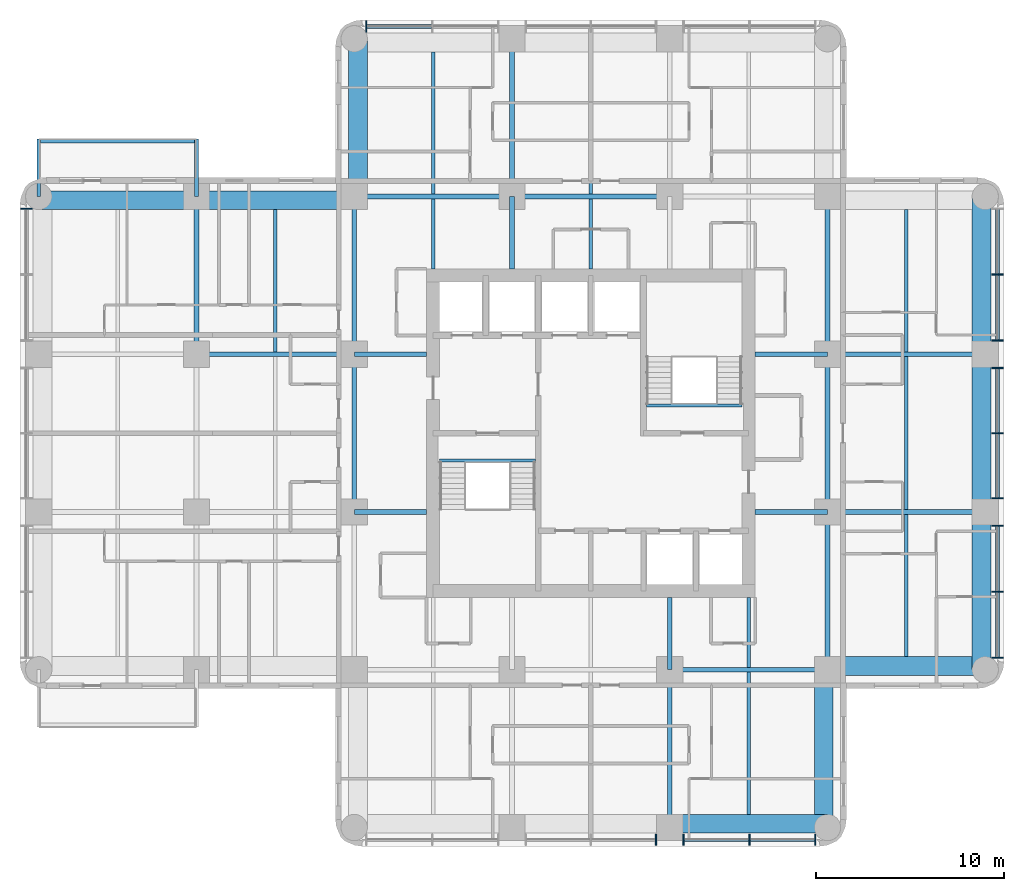
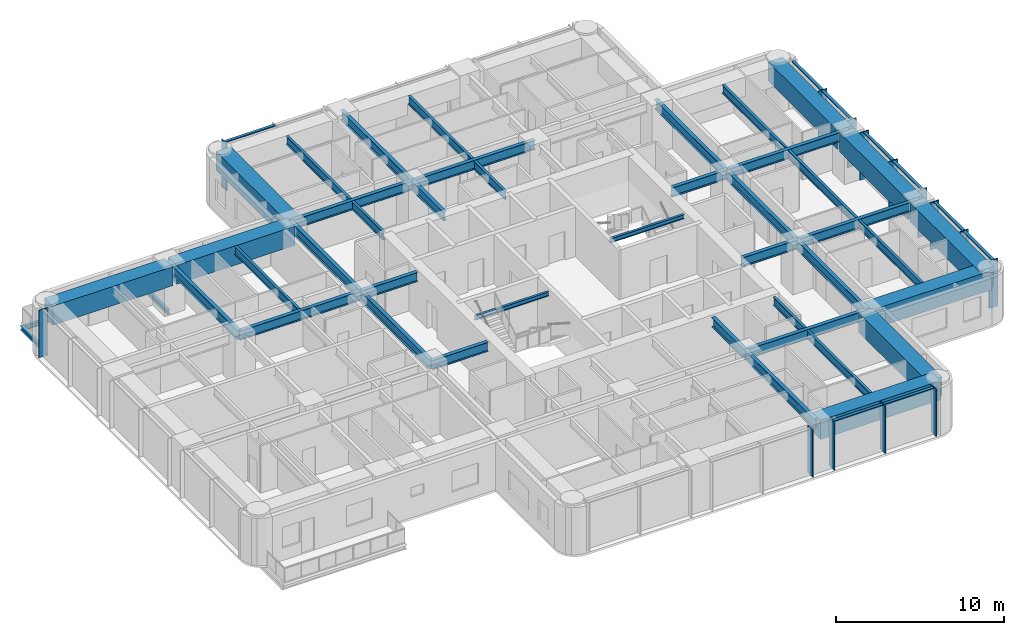
# One storey, part 2 of 11: 44 beams, 23 members, 4 elements without a shape of their own.
"""IFC4 building model written with IfcOpenShell, lengths in metres."""

from ifc_helpers import new_model, si_unit, direction, frame, origin, origin_2d, place, context, subcontext, project, spatial, rectangle, i_section, extrude, material, material_profile, profile_set, type_object, element, aggregate, save


model = new_model("IFC4")

# Units and contexts
model_context = context("Model", 3, precision=1e-05, world=origin(), true_north=direction((0.0, 1.0)))
body_context = subcontext(model_context, "Body", "Model", "MODEL_VIEW")
ifc_project = project(units=[si_unit("LENGTHUNIT", "METRE"), si_unit("AREAUNIT", "SQUARE_METRE"), si_unit("VOLUMEUNIT", "CUBIC_METRE"), si_unit("PLANEANGLEUNIT", "RADIAN"), si_unit("MASSUNIT", "GRAM", prefix="KILO")], contexts=[model_context])

# Site, building, storey
site_placement = place(None, origin())
site = spatial("IfcSite", under=ifc_project, at=site_placement, CompositionType="ELEMENT")
building_placement = place(site_placement, origin())
building = spatial("IfcBuilding", under=site, at=building_placement, Name="Torre Alcanfor", CompositionType="ELEMENT")
storey_placement = place(building_placement, frame((0.0, 0.0, 212.10009765625)))
storey = spatial("IfcBuildingStorey", under=building, at=storey_placement, Name="L55", CompositionType="ELEMENT", Elevation=212.10009765625)

# Beams
ifc_material_1 = material(Name="Steel ASTM A992 Grade 50", Category="steel")
ifc_material_profile_1 = material_profile(ifc_material_1, i_section(OverallWidth=0.205322265625, OverallDepth=0.309814453125, WebThickness=0.00927734375, FlangeThickness=0.016357421875, at=origin_2d()), Name="W12x50")
ifc_profile_set_1 = profile_set([ifc_material_profile_1], Name="Steel ASTM A992 Grade 50")
beam_type_1 = type_object("IfcBeamType", Name="Balcony cantilever beam W12x50", PredefinedType="BEAM", material=ifc_profile_set_1)
for number, where, z_axis, x_axis, name in (
    (1, (8.39990234375, 42.0, -0.35498046875), (0.0, 1.0, 0.0), (-1.0, 0.0, 0.0), "Balcony cantilever beam L55-W2 1"),
    (2, (0.0, 42.0, -0.35498046875), (0.0, 1.0, 0.0), (-1.0, 0.0, 0.0), "Balcony cantilever beam L55-W2 2"),
):
    element("IfcBeam", number, at=place(storey_placement, frame(where, z_axis=z_axis, x_axis=x_axis)), inside=storey, type_object=beam_type_1, Name=name, PredefinedType="BEAM", context=body_context, shape_type="SweptSolid", body=[
        extrude(i_section(OverallWidth=0.205322265625, OverallDepth=0.309814453125, WebThickness=0.00927734375, FlangeThickness=0.016357421875, at=origin_2d()), origin(), (0.0, 0.0, 1.0), 3.050048828125),
    ])
ifc_material_2 = material(Name="Steel ASTM A992 Grade 50", Category="steel")
ifc_material_profile_2 = material_profile(ifc_material_2, i_section(OverallWidth=0.203369140625, OverallDepth=0.30224609375, WebThickness=0.007568359375, FlangeThickness=0.01318359375, at=origin_2d()), Name="W12x40")
ifc_profile_set_2 = profile_set([ifc_material_profile_2], Name="Steel ASTM A992 Grade 50")
beam_type_2 = type_object("IfcBeamType", Name="Balcony edge trimmer W12x40", PredefinedType="BEAM", material=ifc_profile_set_2)
beam_1_placement = place(storey_placement, frame((8.39990234375, 44.9482421875, -0.351318359375), z_axis=(-1.0, 0.0, 0.0), x_axis=(0.0, -1.0, 0.0)))
element("IfcBeam", 3, at=beam_1_placement, inside=storey, type_object=beam_type_2, Name="Balcony edge trimmer L55-W2", PredefinedType="BEAM", context=body_context, shape_type="SweptSolid", body=[
    extrude(i_section(OverallWidth=0.203369140625, OverallDepth=0.30224609375, WebThickness=0.007568359375, FlangeThickness=0.01318359375, at=origin_2d()), origin(), (0.0, 0.0, 1.0), 8.39990234375),
])

# Curtain wall, member
ifc_material_3 = material(Name="Aluminium and glass", Category="aluminium")
curtain_wall_type = type_object("IfcCurtainWallType", Name="CW-A unitised apartment glazing with vertical FIN", PredefinedType="NOTDEFINED", material=ifc_material_3)
curtain_wall_1_placement = place(storey_placement, origin())
curtain_wall_1 = element("IfcCurtainWall", 4, at=curtain_wall_1_placement, inside=storey, type_object=curtain_wall_type, Name="Curtain wall CW-A L55 2", PredefinedType="NOTDEFINED")
ifc_material_4 = material(Name="Bronze anodised aluminium", Category="aluminium")
ifc_material_profile_3 = material_profile(ifc_material_4, rectangle(XDim=0.60009765625, YDim=0.06494140625, at=origin_2d()), Name="CW-A mullion 65x600")
ifc_profile_set_3 = profile_set([ifc_material_profile_3], Name="Bronze anodised aluminium")
member_type_1 = type_object("IfcMemberType", Name="CW-A mullion with vertical FIN 65x600", PredefinedType="MULLION", material=ifc_profile_set_3)
member_1_placement = place(storey_placement, frame((-0.64990234375, 41.35546875, 0.0), z_axis=(0.0, 0.0, 1.0), x_axis=(1.0, 0.0, 0.0)))
member_1 = element("IfcMember", 5, at=member_1_placement, type_object=member_type_1, Name="CW-A mullion 1.1", PredefinedType="MULLION", context=body_context, shape_type="SweptSolid", body=[
    extrude(rectangle(XDim=0.60009765625, YDim=0.06494140625, at=origin_2d()), origin(), (0.0, 0.0, 1.0), 3.449951171875),
])
aggregate(curtain_wall_1, [member_1])

# Curtain wall, members
curtain_wall_2_placement = place(storey_placement, origin())
curtain_wall_2 = element("IfcCurtainWall", 6, at=curtain_wall_2_placement, inside=storey, type_object=curtain_wall_type, Name="Curtain wall CW-A L55 5", PredefinedType="NOTDEFINED")
member_2_placement = place(storey_placement, frame((32.862548828125, 7.75, 0.0), z_axis=(0.0, 0.0, 1.0), x_axis=(0.0, 1.0, 0.0)))
member_2 = element("IfcMember", 7, at=member_2_placement, type_object=member_type_1, Name="CW-A mullion 2.3", PredefinedType="MULLION", context=body_context, shape_type="SweptSolid", body=[
    extrude(rectangle(XDim=0.60009765625, YDim=0.06494140625, at=origin_2d()), origin(), (0.0, 0.0, 1.0), 3.449951171875),
])
member_3_placement = place(storey_placement, frame((34.33740234375, 7.75, 0.0), z_axis=(0.0, 0.0, 1.0), x_axis=(0.0, 1.0, 0.0)))
member_3 = element("IfcMember", 8, at=member_3_placement, type_object=member_type_1, Name="CW-A mullion 3.1", PredefinedType="MULLION", context=body_context, shape_type="SweptSolid", body=[
    extrude(rectangle(XDim=0.60009765625, YDim=0.06494140625, at=origin_2d()), origin(), (0.0, 0.0, 1.0), 3.449951171875),
])
member_4_placement = place(storey_placement, frame((37.846435546875, 7.75, 0.0), z_axis=(0.0, 0.0, 1.0), x_axis=(0.0, 1.0, 0.0)))
member_4 = element("IfcMember", 9, at=member_4_placement, type_object=member_type_1, Name="CW-A mullion 3.2", PredefinedType="MULLION", context=body_context, shape_type="SweptSolid", body=[
    extrude(rectangle(XDim=0.60009765625, YDim=0.06494140625, at=origin_2d()), origin(), (0.0, 0.0, 1.0), 3.449951171875),
])
member_5_placement = place(storey_placement, frame((41.35546875, 7.75, 0.0), z_axis=(0.0, 0.0, 1.0), x_axis=(0.0, 1.0, 0.0)))
member_5 = element("IfcMember", 10, at=member_5_placement, type_object=member_type_1, Name="CW-A mullion 3.3", PredefinedType="MULLION", context=body_context, shape_type="SweptSolid", body=[
    extrude(rectangle(XDim=0.60009765625, YDim=0.06494140625, at=origin_2d()), origin(), (0.0, 0.0, 1.0), 3.449951171875),
])

curtain_wall_3_placement = place(storey_placement, origin())
curtain_wall_3 = element("IfcCurtainWall", 11, at=curtain_wall_3_placement, inside=storey, type_object=curtain_wall_type, Name="Curtain wall CW-A L55 8", PredefinedType="NOTDEFINED")
member_6_placement = place(storey_placement, frame((51.050048828125, 17.444580078125, 0.0), z_axis=(0.0, 0.0, 1.0), x_axis=(-1.0, 0.0, 0.0)))
member_6 = element("IfcMember", 12, at=member_6_placement, type_object=member_type_1, Name="CW-A mullion 1.1", PredefinedType="MULLION", context=body_context, shape_type="SweptSolid", body=[
    extrude(rectangle(XDim=0.60009765625, YDim=0.06494140625, at=origin_2d()), origin(), (0.0, 0.0, 1.0), 3.449951171875),
])
member_7_placement = place(storey_placement, frame((51.050048828125, 20.95361328125, 0.0), z_axis=(0.0, 0.0, 1.0), x_axis=(-1.0, 0.0, 0.0)))
member_7 = element("IfcMember", 13, at=member_7_placement, type_object=member_type_1, Name="CW-A mullion 1.2", PredefinedType="MULLION", context=body_context, shape_type="SweptSolid", body=[
    extrude(rectangle(XDim=0.60009765625, YDim=0.06494140625, at=origin_2d()), origin(), (0.0, 0.0, 1.0), 3.449951171875),
])
member_8_placement = place(storey_placement, frame((51.050048828125, 24.46240234375, 0.0), z_axis=(0.0, 0.0, 1.0), x_axis=(-1.0, 0.0, 0.0)))
member_8 = element("IfcMember", 14, at=member_8_placement, type_object=member_type_1, Name="CW-A mullion 1.3", PredefinedType="MULLION", context=body_context, shape_type="SweptSolid", body=[
    extrude(rectangle(XDim=0.60009765625, YDim=0.06494140625, at=origin_2d()), origin(), (0.0, 0.0, 1.0), 3.449951171875),
])
member_9_placement = place(storey_placement, frame((51.050048828125, 25.9375, 0.0), z_axis=(0.0, 0.0, 1.0), x_axis=(-1.0, 0.0, 0.0)))
member_9 = element("IfcMember", 15, at=member_9_placement, type_object=member_type_1, Name="CW-A mullion 2.1", PredefinedType="MULLION", context=body_context, shape_type="SweptSolid", body=[
    extrude(rectangle(XDim=0.60009765625, YDim=0.06494140625, at=origin_2d()), origin(), (0.0, 0.0, 1.0), 3.449951171875),
])
member_10_placement = place(storey_placement, frame((51.050048828125, 29.39990234375, 0.0), z_axis=(0.0, 0.0, 1.0), x_axis=(-1.0, 0.0, 0.0)))
member_10 = element("IfcMember", 16, at=member_10_placement, type_object=member_type_1, Name="CW-A mullion 2.2", PredefinedType="MULLION", context=body_context, shape_type="SweptSolid", body=[
    extrude(rectangle(XDim=0.60009765625, YDim=0.06494140625, at=origin_2d()), origin(), (0.0, 0.0, 1.0), 3.449951171875),
])
member_11_placement = place(storey_placement, frame((51.050048828125, 32.862548828125, 0.0), z_axis=(0.0, 0.0, 1.0), x_axis=(-1.0, 0.0, 0.0)))
member_11 = element("IfcMember", 17, at=member_11_placement, type_object=member_type_1, Name="CW-A mullion 2.3", PredefinedType="MULLION", context=body_context, shape_type="SweptSolid", body=[
    extrude(rectangle(XDim=0.60009765625, YDim=0.06494140625, at=origin_2d()), origin(), (0.0, 0.0, 1.0), 3.449951171875),
])
member_12_placement = place(storey_placement, frame((51.050048828125, 34.33740234375, 0.0), z_axis=(0.0, 0.0, 1.0), x_axis=(-1.0, 0.0, 0.0)))
member_12 = element("IfcMember", 18, at=member_12_placement, type_object=member_type_1, Name="CW-A mullion 3.1", PredefinedType="MULLION", context=body_context, shape_type="SweptSolid", body=[
    extrude(rectangle(XDim=0.60009765625, YDim=0.06494140625, at=origin_2d()), origin(), (0.0, 0.0, 1.0), 3.449951171875),
])
member_13_placement = place(storey_placement, frame((51.050048828125, 37.846435546875, 0.0), z_axis=(0.0, 0.0, 1.0), x_axis=(-1.0, 0.0, 0.0)))
member_13 = element("IfcMember", 19, at=member_13_placement, type_object=member_type_1, Name="CW-A mullion 3.2", PredefinedType="MULLION", context=body_context, shape_type="SweptSolid", body=[
    extrude(rectangle(XDim=0.60009765625, YDim=0.06494140625, at=origin_2d()), origin(), (0.0, 0.0, 1.0), 3.449951171875),
])

# Curtain wall, member
curtain_wall_4_placement = place(storey_placement, origin())
curtain_wall_4 = element("IfcCurtainWall", 20, at=curtain_wall_4_placement, inside=storey, type_object=curtain_wall_type, Name="Curtain wall CW-A L55 11", PredefinedType="NOTDEFINED")
member_14_placement = place(storey_placement, frame((17.444580078125, 51.050048828125, 0.0), z_axis=(0.0, 0.0, 1.0), x_axis=(0.0, -1.0, 0.0)))
member_14 = element("IfcMember", 21, at=member_14_placement, type_object=member_type_1, Name="CW-A mullion 3.3", PredefinedType="MULLION", context=body_context, shape_type="SweptSolid", body=[
    extrude(rectangle(XDim=0.60009765625, YDim=0.06494140625, at=origin_2d()), origin(), (0.0, 0.0, 1.0), 3.449951171875),
])

# Member
ifc_material_5 = material(Name="Extruded aluminium", Category="aluminium")
ifc_material_profile_4 = material_profile(ifc_material_5, rectangle(XDim=0.199951171875, YDim=0.06494140625, at=origin_2d()), Name="CW-A transom 200x65")
ifc_profile_set_4 = profile_set([ifc_material_profile_4], Name="Extruded aluminium")
member_type_2 = type_object("IfcMemberType", Name="CW-A transom 65x200", PredefinedType="USERDEFINED", material=ifc_profile_set_4)
member_15_placement = place(storey_placement, frame((34.3701171875, 7.75, 3.41748046875), z_axis=(1.0, 0.0, 0.0), x_axis=(0.0, 1.0, 0.0)))
member_15 = element("IfcMember", 22, at=member_15_placement, type_object=member_type_2, Name="CW-A transom 3.1.2", ObjectType="TRANSOM", PredefinedType="USERDEFINED", context=body_context, shape_type="SweptSolid", body=[
    extrude(rectangle(XDim=0.199951171875, YDim=0.06494140625, at=origin_2d()), origin(), (0.0, 0.0, 1.0), 3.44384765625),
])

member_16_placement = place(storey_placement, frame((37.87890625, 7.75, 3.41748046875), z_axis=(1.0, 0.0, 0.0), x_axis=(0.0, 1.0, 0.0)))
member_16 = element("IfcMember", 23, at=member_16_placement, type_object=member_type_2, Name="CW-A transom 3.2.2", ObjectType="TRANSOM", PredefinedType="USERDEFINED", context=body_context, shape_type="SweptSolid", body=[
    extrude(rectangle(XDim=0.199951171875, YDim=0.06494140625, at=origin_2d()), origin(), (0.0, 0.0, 1.0), 3.444091796875),
])

aggregate(curtain_wall_2, [member_2, member_3, member_4, member_5, member_15, member_16])

member_17_placement = place(storey_placement, frame((51.050048828125, 17.47705078125, 3.41748046875), z_axis=(0.0, 1.0, 0.0), x_axis=(-1.0, 0.0, 0.0)))
member_17 = element("IfcMember", 24, at=member_17_placement, type_object=member_type_2, Name="CW-A transom 1.1.2", ObjectType="TRANSOM", PredefinedType="USERDEFINED", context=body_context, shape_type="SweptSolid", body=[
    extrude(rectangle(XDim=0.199951171875, YDim=0.06494140625, at=origin_2d()), origin(), (0.0, 0.0, 1.0), 3.44384765625),
])

member_18_placement = place(storey_placement, frame((51.050048828125, 20.986083984375, 3.41748046875), z_axis=(0.0, 1.0, 0.0), x_axis=(-1.0, 0.0, 0.0)))
member_18 = element("IfcMember", 25, at=member_18_placement, type_object=member_type_2, Name="CW-A transom 1.2.2", ObjectType="TRANSOM", PredefinedType="USERDEFINED", context=body_context, shape_type="SweptSolid", body=[
    extrude(rectangle(XDim=0.199951171875, YDim=0.06494140625, at=origin_2d()), origin(), (0.0, 0.0, 1.0), 3.44384765625),
])

member_19_placement = place(storey_placement, frame((51.050048828125, 25.969970703125, 3.41748046875), z_axis=(0.0, 1.0, 0.0), x_axis=(-1.0, 0.0, 0.0)))
member_19 = element("IfcMember", 26, at=member_19_placement, type_object=member_type_2, Name="CW-A transom 2.1.2", ObjectType="TRANSOM", PredefinedType="USERDEFINED", context=body_context, shape_type="SweptSolid", body=[
    extrude(rectangle(XDim=0.199951171875, YDim=0.06494140625, at=origin_2d()), origin(), (0.0, 0.0, 1.0), 3.3974609375),
])

member_20_placement = place(storey_placement, frame((51.050048828125, 29.4326171875, 3.41748046875), z_axis=(0.0, 1.0, 0.0), x_axis=(-1.0, 0.0, 0.0)))
member_20 = element("IfcMember", 27, at=member_20_placement, type_object=member_type_2, Name="CW-A transom 2.2.2", ObjectType="TRANSOM", PredefinedType="USERDEFINED", context=body_context, shape_type="SweptSolid", body=[
    extrude(rectangle(XDim=0.199951171875, YDim=0.06494140625, at=origin_2d()), origin(), (0.0, 0.0, 1.0), 3.3974609375),
])

member_21_placement = place(storey_placement, frame((51.050048828125, 34.3701171875, 3.41748046875), z_axis=(0.0, 1.0, 0.0), x_axis=(-1.0, 0.0, 0.0)))
member_21 = element("IfcMember", 28, at=member_21_placement, type_object=member_type_2, Name="CW-A transom 3.1.2", ObjectType="TRANSOM", PredefinedType="USERDEFINED", context=body_context, shape_type="SweptSolid", body=[
    extrude(rectangle(XDim=0.199951171875, YDim=0.06494140625, at=origin_2d()), origin(), (0.0, 0.0, 1.0), 3.44384765625),
])

member_22_placement = place(storey_placement, frame((51.050048828125, 37.87890625, 3.41748046875), z_axis=(0.0, 1.0, 0.0), x_axis=(-1.0, 0.0, 0.0)))
member_22 = element("IfcMember", 29, at=member_22_placement, type_object=member_type_2, Name="CW-A transom 3.2.2", ObjectType="TRANSOM", PredefinedType="USERDEFINED", context=body_context, shape_type="SweptSolid", body=[
    extrude(rectangle(XDim=0.199951171875, YDim=0.06494140625, at=origin_2d()), origin(), (0.0, 0.0, 1.0), 3.444091796875),
])

aggregate(curtain_wall_3, [member_6, member_7, member_8, member_17, member_18, member_9, member_10, member_11, member_19, member_20, member_12, member_13, member_21, member_22])

member_23_placement = place(storey_placement, frame((20.9208984375, 51.050048828125, 3.41748046875), z_axis=(-1.0, 0.0, 0.0), x_axis=(0.0, -1.0, 0.0)))
member_23 = element("IfcMember", 30, at=member_23_placement, type_object=member_type_2, Name="CW-A transom 3.2.2", ObjectType="TRANSOM", PredefinedType="USERDEFINED", context=body_context, shape_type="SweptSolid", body=[
    extrude(rectangle(XDim=0.199951171875, YDim=0.06494140625, at=origin_2d()), origin(), (0.0, 0.0, 1.0), 3.44384765625),
])

aggregate(curtain_wall_4, [member_14, member_23])

# Beams
ifc_material_6 = material(Name="Steel ASTM A992 Grade 50", Category="steel")
ifc_material_profile_5 = material_profile(ifc_material_6, i_section(OverallWidth=0.25390625, OverallDepth=0.683349609375, WebThickness=0.012451171875, FlangeThickness=0.01904296875, at=origin_2d()), Name="W27x94")
ifc_profile_set_5 = profile_set([ifc_material_profile_5], Name="Steel ASTM A992 Grade 50")
beam_type_3 = type_object("IfcBeamType", Name="Girder W27x94", PredefinedType="BEAM", material=ifc_profile_set_5)
for number, where, z_axis, x_axis, name in (
    (31, (33.60009765625, 16.800048828125, 3.108154296875), (1.0, 0.0, 0.0), (0.0, 1.0, 0.0), "Beam 5E-6E under L56"),
    (32, (42.0, 25.199951171875, 3.108154296875), (1.0, 0.0, 0.0), (0.0, 1.0, 0.0), "Beam 6F-7F under L56"),
):
    element("IfcBeam", number, at=place(storey_placement, frame(where, z_axis=z_axis, x_axis=x_axis)), inside=storey, type_object=beam_type_3, Name=name, PredefinedType="BEAM", context=body_context, shape_type="SweptSolid", body=[
        extrude(i_section(OverallWidth=0.25390625, OverallDepth=0.683349609375, WebThickness=0.012451171875, FlangeThickness=0.01904296875, at=origin_2d()), origin(), (0.0, 0.0, 1.0), 8.39990234375),
    ])
beam_2_placement = place(storey_placement, frame((8.39990234375, 33.60009765625, 3.108154296875), z_axis=(1.0, 0.0, 0.0), x_axis=(0.0, 1.0, 0.0)))
element("IfcBeam", 33, at=beam_2_placement, inside=storey, type_object=beam_type_3, Name="Beam 2G-3G under L56", PredefinedType="BEAM", context=body_context, shape_type="SweptSolid", body=[
    extrude(i_section(OverallWidth=0.25390625, OverallDepth=0.683349609375, WebThickness=0.012451171875, FlangeThickness=0.01904296875, at=origin_2d()), origin(), (0.0, 0.0, 1.0), 8.400146484375),
])
for number, where, z_axis, x_axis, name in (
    (34, (42.0, 33.60009765625, 3.108154296875), (1.0, 0.0, 0.0), (0.0, 1.0, 0.0), "Beam 6G-7G under L56"),
    (35, (16.800048828125, 42.0, 3.108154296875), (1.0, 0.0, 0.0), (0.0, 1.0, 0.0), "Beam 3H-4H under L56"),
):
    element("IfcBeam", number, at=place(storey_placement, frame(where, z_axis=z_axis, x_axis=x_axis)), inside=storey, type_object=beam_type_3, Name=name, PredefinedType="BEAM", context=body_context, shape_type="SweptSolid", body=[
        extrude(i_section(OverallWidth=0.25390625, OverallDepth=0.683349609375, WebThickness=0.012451171875, FlangeThickness=0.01904296875, at=origin_2d()), origin(), (0.0, 0.0, 1.0), 8.39990234375),
    ])
beam_3_placement = place(storey_placement, frame((25.199951171875, 42.0, 3.108154296875), z_axis=(1.0, 0.0, 0.0), x_axis=(0.0, 1.0, 0.0)))
element("IfcBeam", 36, at=beam_3_placement, inside=storey, type_object=beam_type_3, Name="Beam 4H-5H under L56", PredefinedType="BEAM", context=body_context, shape_type="SweptSolid", body=[
    extrude(i_section(OverallWidth=0.25390625, OverallDepth=0.683349609375, WebThickness=0.012451171875, FlangeThickness=0.01904296875, at=origin_2d()), origin(), (0.0, 0.0, 1.0), 8.400146484375),
])
beam_4_placement = place(storey_placement, frame((8.39990234375, 33.60009765625, 3.108154296875), z_axis=(0.0, 1.0, 0.0), x_axis=(-1.0, 0.0, 0.0)))
element("IfcBeam", 37, at=beam_4_placement, inside=storey, type_object=beam_type_3, Name="Beam 2G-2H under L56", PredefinedType="BEAM", context=body_context, shape_type="SweptSolid", body=[
    extrude(i_section(OverallWidth=0.25390625, OverallDepth=0.683349609375, WebThickness=0.012451171875, FlangeThickness=0.01904296875, at=origin_2d()), origin(), (0.0, 0.0, 1.0), 8.39990234375),
])
beam_5_placement = place(storey_placement, frame((16.800048828125, 25.199951171875, 3.108154296875), z_axis=(0.0, 1.0, 0.0), x_axis=(-1.0, 0.0, 0.0)))
element("IfcBeam", 38, at=beam_5_placement, inside=storey, type_object=beam_type_3, Name="Beam 3F-3G under L56", PredefinedType="BEAM", context=body_context, shape_type="SweptSolid", body=[
    extrude(i_section(OverallWidth=0.25390625, OverallDepth=0.683349609375, WebThickness=0.012451171875, FlangeThickness=0.01904296875, at=origin_2d()), origin(), (0.0, 0.0, 1.0), 8.400146484375),
])
for number, where, z_axis, x_axis, name in (
    (39, (16.800048828125, 33.60009765625, 3.108154296875), (0.0, 1.0, 0.0), (-1.0, 0.0, 0.0), "Beam 3G-3H under L56"),
    (40, (25.199951171875, 42.0, 3.108154296875), (0.0, 1.0, 0.0), (-1.0, 0.0, 0.0), "Beam 4H-4J under L56"),
):
    element("IfcBeam", number, at=place(storey_placement, frame(where, z_axis=z_axis, x_axis=x_axis)), inside=storey, type_object=beam_type_3, Name=name, PredefinedType="BEAM", context=body_context, shape_type="SweptSolid", body=[
        extrude(i_section(OverallWidth=0.25390625, OverallDepth=0.683349609375, WebThickness=0.012451171875, FlangeThickness=0.01904296875, at=origin_2d()), origin(), (0.0, 0.0, 1.0), 8.39990234375),
    ])
beam_6_placement = place(storey_placement, frame((33.60009765625, 8.39990234375, 3.108154296875), z_axis=(0.0, 1.0, 0.0), x_axis=(-1.0, 0.0, 0.0)))
element("IfcBeam", 41, at=beam_6_placement, inside=storey, type_object=beam_type_3, Name="Beam 5D-5E under L56", PredefinedType="BEAM", context=body_context, shape_type="SweptSolid", body=[
    extrude(i_section(OverallWidth=0.25390625, OverallDepth=0.683349609375, WebThickness=0.012451171875, FlangeThickness=0.01904296875, at=origin_2d()), origin(), (0.0, 0.0, 1.0), 8.400146484375),
])
beam_7_placement = place(storey_placement, frame((42.0, 16.800048828125, 3.108154296875), z_axis=(0.0, 1.0, 0.0), x_axis=(-1.0, 0.0, 0.0)))
element("IfcBeam", 42, at=beam_7_placement, inside=storey, type_object=beam_type_3, Name="Beam 6E-6F under L56", PredefinedType="BEAM", context=body_context, shape_type="SweptSolid", body=[
    extrude(i_section(OverallWidth=0.25390625, OverallDepth=0.683349609375, WebThickness=0.012451171875, FlangeThickness=0.01904296875, at=origin_2d()), origin(), (0.0, 0.0, 1.0), 8.39990234375),
])
beam_8_placement = place(storey_placement, frame((42.0, 25.199951171875, 3.108154296875), z_axis=(0.0, 1.0, 0.0), x_axis=(-1.0, 0.0, 0.0)))
element("IfcBeam", 43, at=beam_8_placement, inside=storey, type_object=beam_type_3, Name="Beam 6F-6G under L56", PredefinedType="BEAM", context=body_context, shape_type="SweptSolid", body=[
    extrude(i_section(OverallWidth=0.25390625, OverallDepth=0.683349609375, WebThickness=0.012451171875, FlangeThickness=0.01904296875, at=origin_2d()), origin(), (0.0, 0.0, 1.0), 8.400146484375),
])
beam_9_placement = place(storey_placement, frame((42.0, 33.60009765625, 3.108154296875), z_axis=(0.0, 1.0, 0.0), x_axis=(-1.0, 0.0, 0.0)))
element("IfcBeam", 44, at=beam_9_placement, inside=storey, type_object=beam_type_3, Name="Beam 6G-6H under L56", PredefinedType="BEAM", context=body_context, shape_type="SweptSolid", body=[
    extrude(i_section(OverallWidth=0.25390625, OverallDepth=0.683349609375, WebThickness=0.012451171875, FlangeThickness=0.01904296875, at=origin_2d()), origin(), (0.0, 0.0, 1.0), 8.39990234375),
])
ifc_material_7 = material(Name="Steel ASTM A992 Grade 50", Category="steel")
ifc_material_profile_6 = material_profile(ifc_material_7, i_section(OverallWidth=0.25390625, OverallDepth=0.683349609375, WebThickness=0.012451171875, FlangeThickness=0.01904296875, at=origin_2d()), Name="W27x94")
ifc_profile_set_6 = profile_set([ifc_material_profile_6], Name="Steel ASTM A992 Grade 50")
beam_type_4 = type_object("IfcBeamType", Name="Girder, part bay W27x94", PredefinedType="BEAM", material=ifc_profile_set_6)
beam_10_placement = place(storey_placement, frame((25.199951171875, 42.0, 3.108154296875), z_axis=(0.0, -1.0, 0.0), x_axis=(1.0, 0.0, 0.0)))
element("IfcBeam", 45, at=beam_10_placement, inside=storey, type_object=beam_type_4, Name="Beam 4H-438_15 under L56", PredefinedType="BEAM", context=body_context, shape_type="SweptSolid", body=[
    extrude(i_section(OverallWidth=0.25390625, OverallDepth=0.683349609375, WebThickness=0.012451171875, FlangeThickness=0.01904296875, at=origin_2d()), origin(), (0.0, 0.0, 1.0), 3.85009765625),
])
for number, where, z_axis, x_axis, name in (
    (46, (33.60009765625, 16.800048828125, 3.108154296875), (0.0, 1.0, 0.0), (-1.0, 0.0, 0.0), "Beam 5E-520_65 under L56"),
    (47, (16.800048828125, 25.199951171875, 3.108154296875), (1.0, 0.0, 0.0), (0.0, 1.0, 0.0), "Beam 3F-20_65F under L56"),
):
    element("IfcBeam", number, at=place(storey_placement, frame(where, z_axis=z_axis, x_axis=x_axis)), inside=storey, type_object=beam_type_4, Name=name, PredefinedType="BEAM", context=body_context, shape_type="SweptSolid", body=[
        extrude(i_section(OverallWidth=0.25390625, OverallDepth=0.683349609375, WebThickness=0.012451171875, FlangeThickness=0.01904296875, at=origin_2d()), origin(), (0.0, 0.0, 1.0), 3.849853515625),
    ])
beam_11_placement = place(storey_placement, frame((42.0, 25.199951171875, 3.108154296875), z_axis=(-1.0, 0.0, 0.0), x_axis=(0.0, -1.0, 0.0)))
element("IfcBeam", 48, at=beam_11_placement, inside=storey, type_object=beam_type_4, Name="Beam 6F-38_15F under L56", PredefinedType="BEAM", context=body_context, shape_type="SweptSolid", body=[
    extrude(i_section(OverallWidth=0.25390625, OverallDepth=0.683349609375, WebThickness=0.012451171875, FlangeThickness=0.01904296875, at=origin_2d()), origin(), (0.0, 0.0, 1.0), 3.85009765625),
])
beam_12_placement = place(storey_placement, frame((16.800048828125, 33.60009765625, 3.108154296875), z_axis=(1.0, 0.0, 0.0), x_axis=(0.0, 1.0, 0.0)))
element("IfcBeam", 49, at=beam_12_placement, inside=storey, type_object=beam_type_4, Name="Beam 3G-20_65G under L56", PredefinedType="BEAM", context=body_context, shape_type="SweptSolid", body=[
    extrude(i_section(OverallWidth=0.25390625, OverallDepth=0.683349609375, WebThickness=0.012451171875, FlangeThickness=0.01904296875, at=origin_2d()), origin(), (0.0, 0.0, 1.0), 3.849853515625),
])
beam_13_placement = place(storey_placement, frame((42.0, 33.60009765625, 3.108154296875), z_axis=(-1.0, 0.0, 0.0), x_axis=(0.0, -1.0, 0.0)))
element("IfcBeam", 50, at=beam_13_placement, inside=storey, type_object=beam_type_4, Name="Beam 6G-38_15G under L56", PredefinedType="BEAM", context=body_context, shape_type="SweptSolid", body=[
    extrude(i_section(OverallWidth=0.25390625, OverallDepth=0.683349609375, WebThickness=0.012451171875, FlangeThickness=0.01904296875, at=origin_2d()), origin(), (0.0, 0.0, 1.0), 3.85009765625),
])
ifc_material_8 = material(Name="Concrete f'c 70 MPa", Category="concrete")
ifc_material_profile_7 = material_profile(ifc_material_8, rectangle(XDim=1.0, YDim=1.39990234375, at=origin_2d()), Name="1000x1400")
ifc_profile_set_7 = profile_set([ifc_material_profile_7], Name="Concrete f'c 70 MPa")
beam_type_5 = type_object("IfcBeamType", Name="RC perimeter beam 1000x1400", PredefinedType="BEAM", material=ifc_profile_set_7)
for number, where, z_axis, x_axis, name in (
    (51, (33.72705078125, 8.60009765625, 2.75), (1.0, 0.0, 0.0), (0.0, 1.0, 0.0), "Beam 5D-6D under L56"),
    (52, (42.126953125, 17.0, 2.75), (1.0, 0.0, 0.0), (0.0, 1.0, 0.0), "Beam 6E-7E under L56"),
    (53, (0.0, 41.800048828125, 2.75), (1.0, 0.0, 0.0), (0.0, 1.0, 0.0), "Beam 1H-2H under L56"),
):
    element("IfcBeam", number, at=place(storey_placement, frame(where, z_axis=z_axis, x_axis=x_axis)), inside=storey, type_object=beam_type_5, Name=name, PredefinedType="BEAM", context=body_context, shape_type="SweptSolid", body=[
        extrude(rectangle(XDim=1.0, YDim=1.39990234375, at=origin_2d()), origin(), (0.0, 0.0, 1.0), 8.27294921875),
    ])
beam_14_placement = place(storey_placement, frame((8.527099609375, 41.800048828125, 2.75), z_axis=(1.0, 0.0, 0.0), x_axis=(0.0, 1.0, 0.0)))
element("IfcBeam", 54, at=beam_14_placement, inside=storey, type_object=beam_type_5, Name="Beam 2H-3H under L56", PredefinedType="BEAM", context=body_context, shape_type="SweptSolid", body=[
    extrude(rectangle(XDim=1.0, YDim=1.39990234375, at=origin_2d()), origin(), (0.0, 0.0, 1.0), 8.14599609375),
])
beam_15_placement = place(storey_placement, frame((17.0, 42.126953125, 2.75), z_axis=(0.0, 1.0, 0.0), x_axis=(-1.0, 0.0, 0.0)))
element("IfcBeam", 55, at=beam_15_placement, inside=storey, type_object=beam_type_5, Name="Beam 3H-3J under L56", PredefinedType="BEAM", context=body_context, shape_type="SweptSolid", body=[
    extrude(rectangle(XDim=1.0, YDim=1.39990234375, at=origin_2d()), origin(), (0.0, 0.0, 1.0), 8.27294921875),
])
beam_16_placement = place(storey_placement, frame((41.800048828125, 8.39990234375, 2.75), z_axis=(0.0, 1.0, 0.0), x_axis=(-1.0, 0.0, 0.0)))
element("IfcBeam", 56, at=beam_16_placement, inside=storey, type_object=beam_type_5, Name="Beam 6D-6E under L56", PredefinedType="BEAM", context=body_context, shape_type="SweptSolid", body=[
    extrude(rectangle(XDim=1.0, YDim=1.39990234375, at=origin_2d()), origin(), (0.0, 0.0, 1.0), 8.273193359375),
])
beam_17_placement = place(storey_placement, frame((50.199951171875, 16.800048828125, 2.75), z_axis=(0.0, 1.0, 0.0), x_axis=(-1.0, 0.0, 0.0)))
element("IfcBeam", 57, at=beam_17_placement, inside=storey, type_object=beam_type_5, Name="Beam 7E-7F under L56", PredefinedType="BEAM", context=body_context, shape_type="SweptSolid", body=[
    extrude(rectangle(XDim=1.0, YDim=1.39990234375, at=origin_2d()), origin(), (0.0, 0.0, 1.0), 8.27294921875),
])
beam_18_placement = place(storey_placement, frame((50.199951171875, 25.326904296875, 2.75), z_axis=(0.0, 1.0, 0.0), x_axis=(-1.0, 0.0, 0.0)))
element("IfcBeam", 58, at=beam_18_placement, inside=storey, type_object=beam_type_5, Name="Beam 7F-7G under L56", PredefinedType="BEAM", context=body_context, shape_type="SweptSolid", body=[
    extrude(rectangle(XDim=1.0, YDim=1.39990234375, at=origin_2d()), origin(), (0.0, 0.0, 1.0), 8.14599609375),
])
beam_19_placement = place(storey_placement, frame((50.199951171875, 33.72705078125, 2.75), z_axis=(0.0, 1.0, 0.0), x_axis=(-1.0, 0.0, 0.0)))
element("IfcBeam", 59, at=beam_19_placement, inside=storey, type_object=beam_type_5, Name="Beam 7G-7H under L56", PredefinedType="BEAM", context=body_context, shape_type="SweptSolid", body=[
    extrude(rectangle(XDim=1.0, YDim=1.39990234375, at=origin_2d()), origin(), (0.0, 0.0, 1.0), 8.27294921875),
])
ifc_material_9 = material(Name="Steel ASTM A992 Grade 50", Category="steel")
ifc_material_profile_8 = material_profile(ifc_material_9, i_section(OverallWidth=0.1787109375, OverallDepth=0.60205078125, WebThickness=0.010986328125, FlangeThickness=0.014892578125, at=origin_2d()), Name="W24x62")
ifc_profile_set_8 = profile_set([ifc_material_profile_8], Name="Steel ASTM A992 Grade 50")
beam_type_6 = type_object("IfcBeamType", Name="Secondary beam W24x62", PredefinedType="BEAM", material=ifc_profile_set_8)
for number, where, z_axis, x_axis, name in (
    (60, (12.60009765625, 33.72705078125, 3.14892578125), (0.0, 1.0, 0.0), (-1.0, 0.0, 0.0), "Beam 12_6G-12_6H under L56"),
    (61, (21.0, 42.126953125, 3.14892578125), (0.0, 1.0, 0.0), (-1.0, 0.0, 0.0), "Beam 21H-21J under L56"),
    (62, (29.39990234375, 42.126953125, 3.14892578125), (0.0, 1.0, 0.0), (-1.0, 0.0, 0.0), "Beam 29_4H-29_4J under L56"),
    (63, (37.800048828125, 9.10009765625, 3.14892578125), (0.0, 1.0, 0.0), (-1.0, 0.0, 0.0), "Beam 37_8D-37_8E under L56"),
    (64, (46.199951171875, 17.5, 3.14892578125), (0.0, 1.0, 0.0), (-1.0, 0.0, 0.0), "Beam 46_2E-46_2F under L56"),
):
    element("IfcBeam", number, at=place(storey_placement, frame(where, z_axis=z_axis, x_axis=x_axis)), inside=storey, type_object=beam_type_6, Name=name, PredefinedType="BEAM", context=body_context, shape_type="SweptSolid", body=[
        extrude(i_section(OverallWidth=0.1787109375, OverallDepth=0.60205078125, WebThickness=0.010986328125, FlangeThickness=0.014892578125, at=origin_2d()), origin(), (0.0, 0.0, 1.0), 7.572998046875),
    ])
beam_20_placement = place(storey_placement, frame((46.199951171875, 25.326904296875, 3.14892578125), z_axis=(0.0, 1.0, 0.0), x_axis=(-1.0, 0.0, 0.0)))
element("IfcBeam", 65, at=beam_20_placement, inside=storey, type_object=beam_type_6, Name="Beam 46_2F-46_2G under L56", PredefinedType="BEAM", context=body_context, shape_type="SweptSolid", body=[
    extrude(i_section(OverallWidth=0.1787109375, OverallDepth=0.60205078125, WebThickness=0.010986328125, FlangeThickness=0.014892578125, at=origin_2d()), origin(), (0.0, 0.0, 1.0), 8.14599609375),
])
beam_21_placement = place(storey_placement, frame((46.199951171875, 33.72705078125, 3.14892578125), z_axis=(0.0, 1.0, 0.0), x_axis=(-1.0, 0.0, 0.0)))
element("IfcBeam", 66, at=beam_21_placement, inside=storey, type_object=beam_type_6, Name="Beam 46_2G-46_2H under L56", PredefinedType="BEAM", context=body_context, shape_type="SweptSolid", body=[
    extrude(i_section(OverallWidth=0.1787109375, OverallDepth=0.60205078125, WebThickness=0.010986328125, FlangeThickness=0.014892578125, at=origin_2d()), origin(), (0.0, 0.0, 1.0), 7.572998046875),
])
ifc_material_10 = material(Name="Steel ASTM A992 Grade 50", Category="steel")
ifc_material_profile_9 = material_profile(ifc_material_10, i_section(OverallWidth=0.1787109375, OverallDepth=0.60205078125, WebThickness=0.010986328125, FlangeThickness=0.014892578125, at=origin_2d()), Name="W24x62")
ifc_profile_set_9 = profile_set([ifc_material_profile_9], Name="Steel ASTM A992 Grade 50")
beam_type_7 = type_object("IfcBeamType", Name="Secondary beam, part bay W24x62", PredefinedType="BEAM", material=ifc_profile_set_9)
for number, where, z_axis, x_axis, name in (
    (67, (21.0, 38.14990234375, 3.14892578125), (0.0, 1.0, 0.0), (-1.0, 0.0, 0.0), "Beam 2138_15-21H under L56"),
    (68, (29.39990234375, 38.14990234375, 3.14892578125), (0.0, 1.0, 0.0), (-1.0, 0.0, 0.0), "Beam 29_438_15-29_4H under L56"),
):
    element("IfcBeam", number, at=place(storey_placement, frame(where, z_axis=z_axis, x_axis=x_axis)), inside=storey, type_object=beam_type_7, Name=name, PredefinedType="BEAM", context=body_context, shape_type="SweptSolid", body=[
        extrude(i_section(OverallWidth=0.1787109375, OverallDepth=0.60205078125, WebThickness=0.010986328125, FlangeThickness=0.014892578125, at=origin_2d()), origin(), (0.0, 0.0, 1.0), 3.72314453125),
    ])
beam_22_placement = place(storey_placement, frame((37.800048828125, 16.927001953125, 3.14892578125), z_axis=(0.0, 1.0, 0.0), x_axis=(-1.0, 0.0, 0.0)))
element("IfcBeam", 69, at=beam_22_placement, inside=storey, type_object=beam_type_7, Name="Beam 37_8E-37_820_65 under L56", PredefinedType="BEAM", context=body_context, shape_type="SweptSolid", body=[
    extrude(i_section(OverallWidth=0.1787109375, OverallDepth=0.60205078125, WebThickness=0.010986328125, FlangeThickness=0.014892578125, at=origin_2d()), origin(), (0.0, 0.0, 1.0), 3.722900390625),
])
ifc_material_11 = material(Name="Steel ASTM A992 Grade 50", Category="steel")
ifc_material_profile_10 = material_profile(ifc_material_11, i_section(OverallWidth=0.164794921875, OverallDepth=0.309814453125, WebThickness=0.005859375, FlangeThickness=0.009765625, at=origin_2d()), Name="W12x26")
ifc_profile_set_10 = profile_set([ifc_material_profile_10], Name="Steel ASTM A992 Grade 50")
beam_type_8 = type_object("IfcBeamType", Name="Stair landing beam W12x26", PredefinedType="BEAM", material=ifc_profile_set_10)
for number, where, z_axis, x_axis, name in (
    (70, (21.35009765625, 27.9375, 3.244873046875), (1.0, 0.0, 0.0), (0.0, 1.0, 0.0), "Landing trimmer S1 L56"),
    (71, (32.35009765625, 30.862548828125, 3.244873046875), (1.0, 0.0, 0.0), (0.0, 1.0, 0.0), "Landing trimmer S2 L56"),
):
    element("IfcBeam", number, at=place(storey_placement, frame(where, z_axis=z_axis, x_axis=x_axis)), inside=storey, type_object=beam_type_8, Name=name, PredefinedType="BEAM", context=body_context, shape_type="SweptSolid", body=[
        extrude(i_section(OverallWidth=0.164794921875, OverallDepth=0.309814453125, WebThickness=0.005859375, FlangeThickness=0.009765625, at=origin_2d()), origin(), (0.0, 0.0, 1.0), 5.099853515625),
    ])

save(model, "model.ifc")
